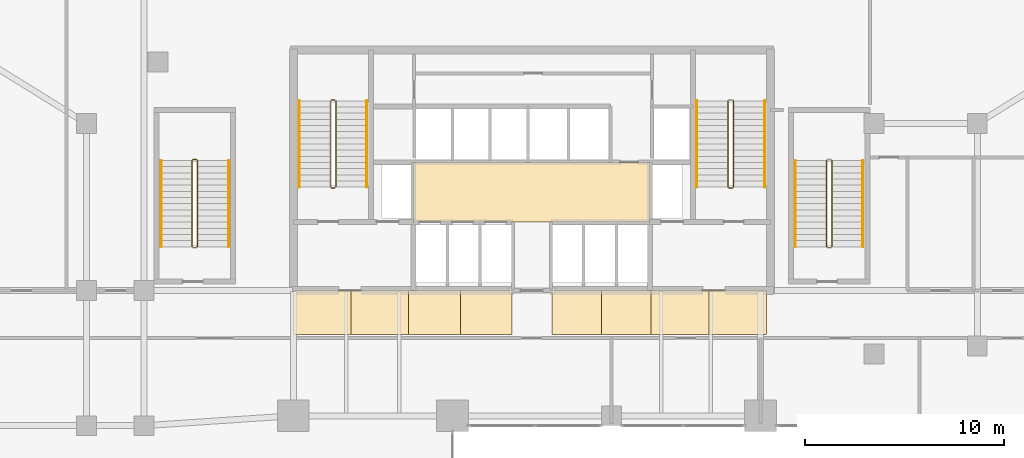
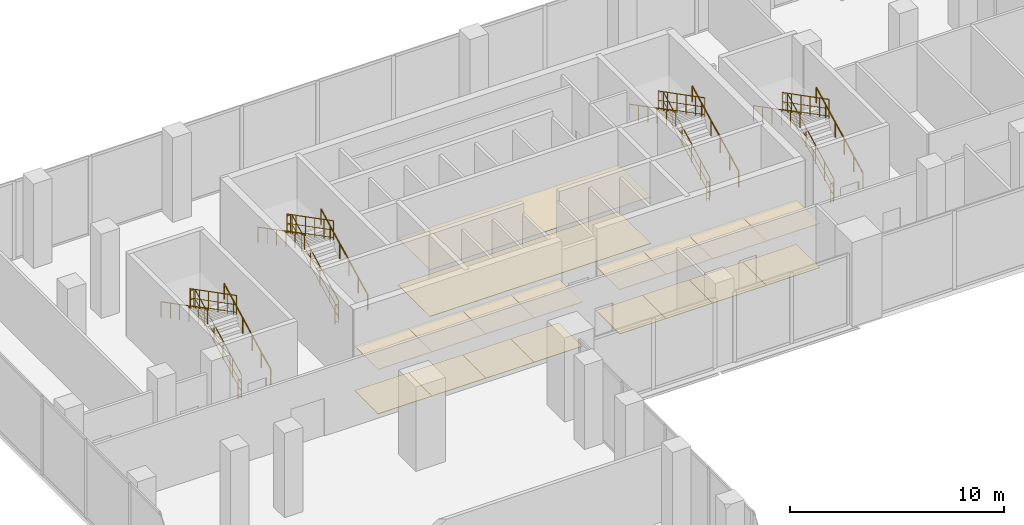
# One storey, part 23 of 24: 22 railings, 18 coverings.
"""IFC4 building model written with IfcOpenShell, lengths in metres."""

from ifc_helpers import new_model, si_unit, direction, frame, origin, origin_2d, place, context, subcontext, project, spatial, polyline, circle, outline, extrude, material, layer, layer_set, type_object, element, save


model = new_model("IFC4")

# Units and contexts
model_context = context("Model", 3, precision=1e-05, world=origin(), true_north=direction((0.0, 1.0)))
body_context = subcontext(model_context, "Body", "Model", "MODEL_VIEW")
ifc_project = project(units=[si_unit("LENGTHUNIT", "METRE"), si_unit("AREAUNIT", "SQUARE_METRE"), si_unit("VOLUMEUNIT", "CUBIC_METRE"), si_unit("PLANEANGLEUNIT", "RADIAN"), si_unit("MASSUNIT", "GRAM", prefix="KILO")], contexts=[model_context])

# Site, building, storey
site_placement = place(None, origin())
site = spatial("IfcSite", under=ifc_project, at=site_placement, CompositionType="ELEMENT")
building_placement = place(site_placement, origin())
building = spatial("IfcBuilding", under=site, at=building_placement, Name="Catumbela Crestline Tower", CompositionType="ELEMENT")
storey_placement = place(building_placement, frame((0.0, 0.0, 11.1)))
storey = spatial("IfcBuildingStorey", under=building, at=storey_placement, Name="L02", CompositionType="ELEMENT", Elevation=11.1)

# Coverings
ifc_material_1 = material(Name="Mineral-fibre acoustic ceiling")
ifc_layer_1 = layer(ifc_material_1, 0.03, Name="Mineral-fibre acoustic ceiling")
ifc_layer_set_1 = layer_set([ifc_layer_1], Name="Mineral-fibre acoustic ceiling")
covering_type_1 = type_object("IfcCoveringType", Name="CC-AC", PredefinedType="CEILING", material=ifc_layer_set_1)
covering_1_placement = place(storey_placement, frame((0.0, 0.0, 2.65)))
element("IfcCovering", 1, at=covering_1_placement, inside=storey, type_object=covering_type_1, Name="L02 Lift Lobby Acoustic Ceiling", PredefinedType="CEILING", context=body_context, shape_type="SweptSolid", body=[
    extrude(outline(polyline([(22.05, 34.25), (33.95, 34.25), (33.95, 37.25), (22.05, 37.25), (22.05, 34.25)])), origin(), (0.0, 0.0, 1.0), 0.03),
])
covering_2_placement = place(storey_placement, frame((0.0, 0.0, 2.52)))
element("IfcCovering", 2, at=covering_2_placement, inside=storey, type_object=covering_type_1, Name="L02 Corridor Acoustic Ceiling Bay 1", PredefinedType="CEILING", context=body_context, shape_type="SweptSolid", body=[
    extrude(outline(polyline([(16.0, 28.6), (18.9, 28.6), (18.9, 30.8), (16.0, 30.8), (16.0, 28.6)])), origin(), (0.0, 0.0, 1.0), 0.03),
])
covering_3_placement = place(storey_placement, frame((0.0, 0.0, 2.52)))
element("IfcCovering", 3, at=covering_3_placement, inside=storey, type_object=covering_type_1, Name="L02 Corridor Acoustic Ceiling Bay 2", PredefinedType="CEILING", context=body_context, shape_type="SweptSolid", body=[
    extrude(outline(polyline([(18.9, 28.6), (21.8, 28.6), (21.8, 30.8), (18.9, 30.8), (18.9, 28.6)])), origin(), (0.0, 0.0, 1.0), 0.03),
])
covering_4_placement = place(storey_placement, frame((0.0, 0.0, 2.52)))
element("IfcCovering", 4, at=covering_4_placement, inside=storey, type_object=covering_type_1, Name="L02 Corridor Acoustic Ceiling Bay 3", PredefinedType="CEILING", context=body_context, shape_type="SweptSolid", body=[
    extrude(outline(polyline([(21.8, 28.6), (24.4, 28.6), (24.4, 30.8), (21.8, 30.8), (21.8, 28.6)])), origin(), (0.0, 0.0, 1.0), 0.03),
])
covering_5_placement = place(storey_placement, frame((0.0, 0.0, 2.52)))
element("IfcCovering", 5, at=covering_5_placement, inside=storey, type_object=covering_type_1, Name="L02 Corridor Acoustic Ceiling Bay 4", PredefinedType="CEILING", context=body_context, shape_type="SweptSolid", body=[
    extrude(outline(polyline([(24.4, 28.6), (27.0, 28.6), (27.0, 30.8), (24.4, 30.8), (24.4, 28.6)])), origin(), (0.0, 0.0, 1.0), 0.03),
])
covering_6_placement = place(storey_placement, frame((0.0, 0.0, 2.52)))
element("IfcCovering", 6, at=covering_6_placement, inside=storey, type_object=covering_type_1, Name="L02 Corridor Acoustic Ceiling Bay 5", PredefinedType="CEILING", context=body_context, shape_type="SweptSolid", body=[
    extrude(outline(polyline([(29.0, 28.6), (31.5, 28.6), (31.5, 30.8), (29.0, 30.8), (29.0, 28.6)])), origin(), (0.0, 0.0, 1.0), 0.03),
])
covering_7_placement = place(storey_placement, frame((0.0, 0.0, 2.52)))
element("IfcCovering", 7, at=covering_7_placement, inside=storey, type_object=covering_type_1, Name="L02 Corridor Acoustic Ceiling Bay 6", PredefinedType="CEILING", context=body_context, shape_type="SweptSolid", body=[
    extrude(outline(polyline([(31.5, 28.6), (34.0, 28.6), (34.0, 30.8), (31.5, 30.8), (31.5, 28.6)])), origin(), (0.0, 0.0, 1.0), 0.03),
])
covering_8_placement = place(storey_placement, frame((0.0, 0.0, 2.52)))
element("IfcCovering", 8, at=covering_8_placement, inside=storey, type_object=covering_type_1, Name="L02 Corridor Acoustic Ceiling Bay 7", PredefinedType="CEILING", context=body_context, shape_type="SweptSolid", body=[
    extrude(outline(polyline([(34.0, 28.6), (36.9, 28.6), (36.9, 30.8), (34.0, 30.8), (34.0, 28.6)])), origin(), (0.0, 0.0, 1.0), 0.03),
])
covering_9_placement = place(storey_placement, frame((0.0, 0.0, 2.52)))
element("IfcCovering", 9, at=covering_9_placement, inside=storey, type_object=covering_type_1, Name="L02 Corridor Acoustic Ceiling Bay 8", PredefinedType="CEILING", context=body_context, shape_type="SweptSolid", body=[
    extrude(outline(polyline([(36.9, 28.6), (39.8, 28.6), (39.8, 30.8), (36.9, 30.8), (36.9, 28.6)])), origin(), (0.0, 0.0, 1.0), 0.03),
])
ifc_material_2 = material(Name="Angolan grey-ochre granite", Category="masonry")
ifc_layer_2 = layer(ifc_material_2, 0.025, Name="Angolan grey-ochre granite")
ifc_layer_set_2 = layer_set([ifc_layer_2], Name="Angolan grey-ochre granite")
covering_type_2 = type_object("IfcCoveringType", Name="CF-GR", PredefinedType="FLOORING", material=ifc_layer_set_2)
covering_10_placement = place(storey_placement, origin())
element("IfcCovering", 10, at=covering_10_placement, inside=storey, type_object=covering_type_2, Name="L02 Corridor Granite Flooring Bay 1", PredefinedType="FLOORING", context=body_context, shape_type="SweptSolid", body=[
    extrude(outline(polyline([(16.0, 28.6), (18.9, 28.6), (18.9, 30.8), (16.0, 30.8), (16.0, 28.6)])), origin(), (0.0, 0.0, 1.0), 0.025),
])
covering_11_placement = place(storey_placement, origin())
element("IfcCovering", 11, at=covering_11_placement, inside=storey, type_object=covering_type_2, Name="L02 Corridor Granite Flooring Bay 2", PredefinedType="FLOORING", context=body_context, shape_type="SweptSolid", body=[
    extrude(outline(polyline([(18.9, 28.6), (21.8, 28.6), (21.8, 30.8), (18.9, 30.8), (18.9, 28.6)])), origin(), (0.0, 0.0, 1.0), 0.025),
])
covering_12_placement = place(storey_placement, origin())
element("IfcCovering", 12, at=covering_12_placement, inside=storey, type_object=covering_type_2, Name="L02 Corridor Granite Flooring Bay 3", PredefinedType="FLOORING", context=body_context, shape_type="SweptSolid", body=[
    extrude(outline(polyline([(21.8, 28.6), (24.4, 28.6), (24.4, 30.8), (21.8, 30.8), (21.8, 28.6)])), origin(), (0.0, 0.0, 1.0), 0.025),
])
covering_13_placement = place(storey_placement, origin())
element("IfcCovering", 13, at=covering_13_placement, inside=storey, type_object=covering_type_2, Name="L02 Corridor Granite Flooring Bay 4", PredefinedType="FLOORING", context=body_context, shape_type="SweptSolid", body=[
    extrude(outline(polyline([(24.4, 28.6), (27.0, 28.6), (27.0, 30.8), (24.4, 30.8), (24.4, 28.6)])), origin(), (0.0, 0.0, 1.0), 0.025),
])
covering_14_placement = place(storey_placement, origin())
element("IfcCovering", 14, at=covering_14_placement, inside=storey, type_object=covering_type_2, Name="L02 Corridor Granite Flooring Bay 5", PredefinedType="FLOORING", context=body_context, shape_type="SweptSolid", body=[
    extrude(outline(polyline([(29.0, 28.6), (31.5, 28.6), (31.5, 30.8), (29.0, 30.8), (29.0, 28.6)])), origin(), (0.0, 0.0, 1.0), 0.025),
])
covering_15_placement = place(storey_placement, origin())
element("IfcCovering", 15, at=covering_15_placement, inside=storey, type_object=covering_type_2, Name="L02 Corridor Granite Flooring Bay 6", PredefinedType="FLOORING", context=body_context, shape_type="SweptSolid", body=[
    extrude(outline(polyline([(31.5, 28.6), (34.0, 28.6), (34.0, 30.8), (31.5, 30.8), (31.5, 28.6)])), origin(), (0.0, 0.0, 1.0), 0.025),
])
covering_16_placement = place(storey_placement, origin())
element("IfcCovering", 16, at=covering_16_placement, inside=storey, type_object=covering_type_2, Name="L02 Corridor Granite Flooring Bay 7", PredefinedType="FLOORING", context=body_context, shape_type="SweptSolid", body=[
    extrude(outline(polyline([(34.0, 28.6), (36.9, 28.6), (36.9, 30.8), (34.0, 30.8), (34.0, 28.6)])), origin(), (0.0, 0.0, 1.0), 0.025),
])
covering_17_placement = place(storey_placement, origin())
element("IfcCovering", 17, at=covering_17_placement, inside=storey, type_object=covering_type_2, Name="L02 Corridor Granite Flooring Bay 8", PredefinedType="FLOORING", context=body_context, shape_type="SweptSolid", body=[
    extrude(outline(polyline([(36.9, 28.6), (39.8, 28.6), (39.8, 30.8), (36.9, 30.8), (36.9, 28.6)])), origin(), (0.0, 0.0, 1.0), 0.025),
])
covering_18_placement = place(storey_placement, origin())
element("IfcCovering", 18, at=covering_18_placement, inside=storey, type_object=covering_type_2, Name="L02 Lift Lobby Granite Flooring", PredefinedType="FLOORING", context=body_context, shape_type="SweptSolid", body=[
    extrude(outline(polyline([(22.05, 34.25), (33.95, 34.25), (33.95, 37.25), (22.05, 37.25), (22.05, 34.25)])), origin(), (0.0, 0.0, 1.0), 0.025),
])

# Railings
ifc_material_3 = material(Name="Stainless steel EN 1.4401", Category="steel")
railing_type_1 = type_object("IfcRailingType", Name="RG-1100", PredefinedType="GUARDRAIL", material=ifc_material_3)
railing_1_placement = place(storey_placement, frame((18.14, 36.0, 0.16)))
element("IfcRailing", 19, at=railing_1_placement, inside=storey, type_object=railing_type_1, Name="L02 ST-01 stair guard 1", PredefinedType="GUARDRAIL", context=body_context, shape_type="SweptSolid", body=[
    extrude(circle(Radius=0.024, at=origin_2d()), frame((0.0, 0.0, 1.076), z_axis=(0.0, 0.888620657055, 0.45864291977), x_axis=(-1.0, 0.0, 0.0)), (0.0, 0.0, 1.0), 4.884),
    extrude(circle(Radius=0.0156, at=origin_2d()), frame((0.0, 0.0, 0.55), z_axis=(0.0, 0.888620657055, 0.45864291977), x_axis=(-1.0, 0.0, 0.0)), (0.0, 0.0, 1.0), 4.884),
    extrude(circle(Radius=0.0156, at=origin_2d()), frame((0.0, 0.0, 0.12), z_axis=(0.0, 0.888620657055, 0.45864291977), x_axis=(-1.0, 0.0, 0.0)), (0.0, 0.0, 1.0), 4.884),
    extrude(circle(Radius=0.021, at=origin_2d()), origin(), (0.0, 0.0, 1.0), 1.052),
    extrude(circle(Radius=0.021, at=origin_2d()), frame((0.0, 0.868, 0.448)), (0.0, 0.0, 1.0), 1.052),
    extrude(circle(Radius=0.021, at=origin_2d()), frame((0.0, 1.736, 0.896)), (0.0, 0.0, 1.0), 1.052),
    extrude(circle(Radius=0.021, at=origin_2d()), frame((0.0, 2.604, 1.344)), (0.0, 0.0, 1.0), 1.052),
    extrude(circle(Radius=0.021, at=origin_2d()), frame((0.0, 3.472, 1.792)), (0.0, 0.0, 1.0), 1.052),
    extrude(circle(Radius=0.021, at=origin_2d()), frame((0.0, 4.34, 2.24)), (0.0, 0.0, 1.0), 1.052),
])
railing_2_placement = place(storey_placement, frame((18.09, 40.39, 2.4)))
element("IfcRailing", 20, at=railing_2_placement, inside=storey, type_object=railing_type_1, Name="L02 ST-01 stair guard 2", PredefinedType="GUARDRAIL", context=body_context, shape_type="SweptSolid", body=[
    extrude(circle(Radius=0.024, at=origin_2d()), frame((0.0, 0.0, 1.076), z_axis=(-1.0, 0.0, 0.0), x_axis=(0.0, -1.0, 0.0)), (0.0, 0.0, 1.0), 0.18),
    extrude(circle(Radius=0.0156, at=origin_2d()), frame((0.0, 0.0, 0.55), z_axis=(-1.0, 0.0, 0.0), x_axis=(0.0, -1.0, 0.0)), (0.0, 0.0, 1.0), 0.18),
    extrude(circle(Radius=0.0156, at=origin_2d()), frame((0.0, 0.0, 0.12), z_axis=(-1.0, 0.0, 0.0), x_axis=(0.0, -1.0, 0.0)), (0.0, 0.0, 1.0), 0.18),
    extrude(circle(Radius=0.021, at=origin_2d()), origin(), (0.0, 0.0, 1.0), 1.052),
    extrude(circle(Radius=0.021, at=origin_2d()), frame((-0.18, 0.0, 0.0)), (0.0, 0.0, 1.0), 1.052),
])
railing_3_placement = place(storey_placement, frame((17.86, 40.34, 2.56)))
element("IfcRailing", 21, at=railing_3_placement, inside=storey, type_object=railing_type_1, Name="L02 ST-01 stair guard 3", PredefinedType="GUARDRAIL", context=body_context, shape_type="SweptSolid", body=[
    extrude(circle(Radius=0.024, at=origin_2d()), frame((0.0, 0.0, 1.076), z_axis=(0.0, -0.888620657055, 0.45864291977), x_axis=(1.0, 0.0, 0.0)), (0.0, 0.0, 1.0), 4.884),
    extrude(circle(Radius=0.0156, at=origin_2d()), frame((0.0, 0.0, 0.55), z_axis=(0.0, -0.888620657055, 0.45864291977), x_axis=(1.0, 0.0, 0.0)), (0.0, 0.0, 1.0), 4.884),
    extrude(circle(Radius=0.0156, at=origin_2d()), frame((0.0, 0.0, 0.12), z_axis=(0.0, -0.888620657055, 0.45864291977), x_axis=(1.0, 0.0, 0.0)), (0.0, 0.0, 1.0), 4.884),
    extrude(circle(Radius=0.021, at=origin_2d()), origin(), (0.0, 0.0, 1.0), 1.052),
    extrude(circle(Radius=0.021, at=origin_2d()), frame((0.0, -0.868, 0.448)), (0.0, 0.0, 1.0), 1.052),
    extrude(circle(Radius=0.021, at=origin_2d()), frame((0.0, -1.736, 0.896)), (0.0, 0.0, 1.0), 1.052),
    extrude(circle(Radius=0.021, at=origin_2d()), frame((0.0, -2.604, 1.344)), (0.0, 0.0, 1.0), 1.052),
    extrude(circle(Radius=0.021, at=origin_2d()), frame((0.0, -3.472, 1.792)), (0.0, 0.0, 1.0), 1.052),
    extrude(circle(Radius=0.021, at=origin_2d()), frame((0.0, -4.34, 2.24)), (0.0, 0.0, 1.0), 1.052),
])
railing_4_placement = place(storey_placement, frame((18.09, 35.95, 0.0)))
element("IfcRailing", 22, at=railing_4_placement, inside=storey, type_object=railing_type_1, Name="L02 ST-01 stair guard 4", PredefinedType="GUARDRAIL", context=body_context, shape_type="SweptSolid", body=[
    extrude(circle(Radius=0.024, at=origin_2d()), frame((0.0, 0.0, 1.076), z_axis=(-1.0, 0.0, 0.0), x_axis=(0.0, -1.0, 0.0)), (0.0, 0.0, 1.0), 0.18),
    extrude(circle(Radius=0.0156, at=origin_2d()), frame((0.0, 0.0, 0.55), z_axis=(-1.0, 0.0, 0.0), x_axis=(0.0, -1.0, 0.0)), (0.0, 0.0, 1.0), 0.18),
    extrude(circle(Radius=0.0156, at=origin_2d()), frame((0.0, 0.0, 0.12), z_axis=(-1.0, 0.0, 0.0), x_axis=(0.0, -1.0, 0.0)), (0.0, 0.0, 1.0), 0.18),
    extrude(circle(Radius=0.021, at=origin_2d()), origin(), (0.0, 0.0, 1.0), 1.052),
    extrude(circle(Radius=0.021, at=origin_2d()), frame((-0.18, 0.0, 0.0)), (0.0, 0.0, 1.0), 1.052),
])
railing_5_placement = place(storey_placement, frame((38.14, 36.0, 0.16)))
element("IfcRailing", 23, at=railing_5_placement, inside=storey, type_object=railing_type_1, Name="L02 ST-02 stair guard 1", PredefinedType="GUARDRAIL", context=body_context, shape_type="SweptSolid", body=[
    extrude(circle(Radius=0.024, at=origin_2d()), frame((0.0, 0.0, 1.076), z_axis=(0.0, 0.888620657055, 0.45864291977), x_axis=(-1.0, 0.0, 0.0)), (0.0, 0.0, 1.0), 4.884),
    extrude(circle(Radius=0.0156, at=origin_2d()), frame((0.0, 0.0, 0.55), z_axis=(0.0, 0.888620657055, 0.45864291977), x_axis=(-1.0, 0.0, 0.0)), (0.0, 0.0, 1.0), 4.884),
    extrude(circle(Radius=0.0156, at=origin_2d()), frame((0.0, 0.0, 0.12), z_axis=(0.0, 0.888620657055, 0.45864291977), x_axis=(-1.0, 0.0, 0.0)), (0.0, 0.0, 1.0), 4.884),
    extrude(circle(Radius=0.021, at=origin_2d()), origin(), (0.0, 0.0, 1.0), 1.052),
    extrude(circle(Radius=0.021, at=origin_2d()), frame((0.0, 0.868, 0.448)), (0.0, 0.0, 1.0), 1.052),
    extrude(circle(Radius=0.021, at=origin_2d()), frame((0.0, 1.736, 0.896)), (0.0, 0.0, 1.0), 1.052),
    extrude(circle(Radius=0.021, at=origin_2d()), frame((0.0, 2.604, 1.344)), (0.0, 0.0, 1.0), 1.052),
    extrude(circle(Radius=0.021, at=origin_2d()), frame((0.0, 3.472, 1.792)), (0.0, 0.0, 1.0), 1.052),
    extrude(circle(Radius=0.021, at=origin_2d()), frame((0.0, 4.34, 2.24)), (0.0, 0.0, 1.0), 1.052),
])
railing_6_placement = place(storey_placement, frame((37.86, 40.34, 2.56)))
element("IfcRailing", 24, at=railing_6_placement, inside=storey, type_object=railing_type_1, Name="L02 ST-02 stair guard 3", PredefinedType="GUARDRAIL", context=body_context, shape_type="SweptSolid", body=[
    extrude(circle(Radius=0.024, at=origin_2d()), frame((0.0, 0.0, 1.076), z_axis=(0.0, -0.888620657055, 0.45864291977), x_axis=(1.0, 0.0, 0.0)), (0.0, 0.0, 1.0), 4.884),
    extrude(circle(Radius=0.0156, at=origin_2d()), frame((0.0, 0.0, 0.55), z_axis=(0.0, -0.888620657055, 0.45864291977), x_axis=(1.0, 0.0, 0.0)), (0.0, 0.0, 1.0), 4.884),
    extrude(circle(Radius=0.0156, at=origin_2d()), frame((0.0, 0.0, 0.12), z_axis=(0.0, -0.888620657055, 0.45864291977), x_axis=(1.0, 0.0, 0.0)), (0.0, 0.0, 1.0), 4.884),
    extrude(circle(Radius=0.021, at=origin_2d()), origin(), (0.0, 0.0, 1.0), 1.052),
    extrude(circle(Radius=0.021, at=origin_2d()), frame((0.0, -0.868, 0.448)), (0.0, 0.0, 1.0), 1.052),
    extrude(circle(Radius=0.021, at=origin_2d()), frame((0.0, -1.736, 0.896)), (0.0, 0.0, 1.0), 1.052),
    extrude(circle(Radius=0.021, at=origin_2d()), frame((0.0, -2.604, 1.344)), (0.0, 0.0, 1.0), 1.052),
    extrude(circle(Radius=0.021, at=origin_2d()), frame((0.0, -3.472, 1.792)), (0.0, 0.0, 1.0), 1.052),
    extrude(circle(Radius=0.021, at=origin_2d()), frame((0.0, -4.34, 2.24)), (0.0, 0.0, 1.0), 1.052),
])
railing_7_placement = place(storey_placement, frame((38.09, 35.95, 0.0)))
element("IfcRailing", 25, at=railing_7_placement, inside=storey, type_object=railing_type_1, Name="L02 ST-02 stair guard 4", PredefinedType="GUARDRAIL", context=body_context, shape_type="SweptSolid", body=[
    extrude(circle(Radius=0.024, at=origin_2d()), frame((0.0, 0.0, 1.076), z_axis=(-1.0, 0.0, 0.0), x_axis=(0.0, -1.0, 0.0)), (0.0, 0.0, 1.0), 0.18),
    extrude(circle(Radius=0.0156, at=origin_2d()), frame((0.0, 0.0, 0.55), z_axis=(-1.0, 0.0, 0.0), x_axis=(0.0, -1.0, 0.0)), (0.0, 0.0, 1.0), 0.18),
    extrude(circle(Radius=0.0156, at=origin_2d()), frame((0.0, 0.0, 0.12), z_axis=(-1.0, 0.0, 0.0), x_axis=(0.0, -1.0, 0.0)), (0.0, 0.0, 1.0), 0.18),
    extrude(circle(Radius=0.021, at=origin_2d()), origin(), (0.0, 0.0, 1.0), 1.052),
    extrude(circle(Radius=0.021, at=origin_2d()), frame((-0.18, 0.0, 0.0)), (0.0, 0.0, 1.0), 1.052),
])
railing_8_placement = place(storey_placement, frame((11.19, 33.0, 0.16)))
element("IfcRailing", 26, at=railing_8_placement, inside=storey, type_object=railing_type_1, Name="L02 ST-03 stair guard 1", PredefinedType="GUARDRAIL", context=body_context, shape_type="SweptSolid", body=[
    extrude(circle(Radius=0.024, at=origin_2d()), frame((0.0, 0.0, 1.076), z_axis=(0.0, 0.888620657055, 0.45864291977), x_axis=(-1.0, 0.0, 0.0)), (0.0, 0.0, 1.0), 4.884),
    extrude(circle(Radius=0.0156, at=origin_2d()), frame((0.0, 0.0, 0.55), z_axis=(0.0, 0.888620657055, 0.45864291977), x_axis=(-1.0, 0.0, 0.0)), (0.0, 0.0, 1.0), 4.884),
    extrude(circle(Radius=0.0156, at=origin_2d()), frame((0.0, 0.0, 0.12), z_axis=(0.0, 0.888620657055, 0.45864291977), x_axis=(-1.0, 0.0, 0.0)), (0.0, 0.0, 1.0), 4.884),
    extrude(circle(Radius=0.021, at=origin_2d()), origin(), (0.0, 0.0, 1.0), 1.052),
    extrude(circle(Radius=0.021, at=origin_2d()), frame((0.0, 0.868, 0.448)), (0.0, 0.0, 1.0), 1.052),
    extrude(circle(Radius=0.021, at=origin_2d()), frame((0.0, 1.736, 0.896)), (0.0, 0.0, 1.0), 1.052),
    extrude(circle(Radius=0.021, at=origin_2d()), frame((0.0, 2.604, 1.344)), (0.0, 0.0, 1.0), 1.052),
    extrude(circle(Radius=0.021, at=origin_2d()), frame((0.0, 3.472, 1.792)), (0.0, 0.0, 1.0), 1.052),
    extrude(circle(Radius=0.021, at=origin_2d()), frame((0.0, 4.34, 2.24)), (0.0, 0.0, 1.0), 1.052),
])
railing_9_placement = place(storey_placement, frame((11.14, 37.39, 2.4)))
element("IfcRailing", 27, at=railing_9_placement, inside=storey, type_object=railing_type_1, Name="L02 ST-03 stair guard 2", PredefinedType="GUARDRAIL", context=body_context, shape_type="SweptSolid", body=[
    extrude(circle(Radius=0.024, at=origin_2d()), frame((0.0, 0.0, 1.076), z_axis=(-1.0, 0.0, 0.0), x_axis=(0.0, -1.0, 0.0)), (0.0, 0.0, 1.0), 0.18),
    extrude(circle(Radius=0.0156, at=origin_2d()), frame((0.0, 0.0, 0.55), z_axis=(-1.0, 0.0, 0.0), x_axis=(0.0, -1.0, 0.0)), (0.0, 0.0, 1.0), 0.18),
    extrude(circle(Radius=0.0156, at=origin_2d()), frame((0.0, 0.0, 0.12), z_axis=(-1.0, 0.0, 0.0), x_axis=(0.0, -1.0, 0.0)), (0.0, 0.0, 1.0), 0.18),
    extrude(circle(Radius=0.021, at=origin_2d()), origin(), (0.0, 0.0, 1.0), 1.052),
    extrude(circle(Radius=0.021, at=origin_2d()), frame((-0.18, 0.0, 0.0)), (0.0, 0.0, 1.0), 1.052),
])
railing_10_placement = place(storey_placement, frame((10.91, 37.34, 2.56)))
element("IfcRailing", 28, at=railing_10_placement, inside=storey, type_object=railing_type_1, Name="L02 ST-03 stair guard 3", PredefinedType="GUARDRAIL", context=body_context, shape_type="SweptSolid", body=[
    extrude(circle(Radius=0.024, at=origin_2d()), frame((0.0, 0.0, 1.076), z_axis=(0.0, -0.888620657055, 0.45864291977), x_axis=(1.0, 0.0, 0.0)), (0.0, 0.0, 1.0), 4.884),
    extrude(circle(Radius=0.0156, at=origin_2d()), frame((0.0, 0.0, 0.55), z_axis=(0.0, -0.888620657055, 0.45864291977), x_axis=(1.0, 0.0, 0.0)), (0.0, 0.0, 1.0), 4.884),
    extrude(circle(Radius=0.0156, at=origin_2d()), frame((0.0, 0.0, 0.12), z_axis=(0.0, -0.888620657055, 0.45864291977), x_axis=(1.0, 0.0, 0.0)), (0.0, 0.0, 1.0), 4.884),
    extrude(circle(Radius=0.021, at=origin_2d()), origin(), (0.0, 0.0, 1.0), 1.052),
    extrude(circle(Radius=0.021, at=origin_2d()), frame((0.0, -0.868, 0.448)), (0.0, 0.0, 1.0), 1.052),
    extrude(circle(Radius=0.021, at=origin_2d()), frame((0.0, -1.736, 0.896)), (0.0, 0.0, 1.0), 1.052),
    extrude(circle(Radius=0.021, at=origin_2d()), frame((0.0, -2.604, 1.344)), (0.0, 0.0, 1.0), 1.052),
    extrude(circle(Radius=0.021, at=origin_2d()), frame((0.0, -3.472, 1.792)), (0.0, 0.0, 1.0), 1.052),
    extrude(circle(Radius=0.021, at=origin_2d()), frame((0.0, -4.34, 2.24)), (0.0, 0.0, 1.0), 1.052),
])
railing_11_placement = place(storey_placement, frame((11.14, 32.95, 0.0)))
element("IfcRailing", 29, at=railing_11_placement, inside=storey, type_object=railing_type_1, Name="L02 ST-03 stair guard 4", PredefinedType="GUARDRAIL", context=body_context, shape_type="SweptSolid", body=[
    extrude(circle(Radius=0.024, at=origin_2d()), frame((0.0, 0.0, 1.076), z_axis=(-1.0, 0.0, 0.0), x_axis=(0.0, -1.0, 0.0)), (0.0, 0.0, 1.0), 0.18),
    extrude(circle(Radius=0.0156, at=origin_2d()), frame((0.0, 0.0, 0.55), z_axis=(-1.0, 0.0, 0.0), x_axis=(0.0, -1.0, 0.0)), (0.0, 0.0, 1.0), 0.18),
    extrude(circle(Radius=0.0156, at=origin_2d()), frame((0.0, 0.0, 0.12), z_axis=(-1.0, 0.0, 0.0), x_axis=(0.0, -1.0, 0.0)), (0.0, 0.0, 1.0), 0.18),
    extrude(circle(Radius=0.021, at=origin_2d()), origin(), (0.0, 0.0, 1.0), 1.052),
    extrude(circle(Radius=0.021, at=origin_2d()), frame((-0.18, 0.0, 0.0)), (0.0, 0.0, 1.0), 1.052),
])
railing_12_placement = place(storey_placement, frame((43.09, 33.0, 0.16)))
element("IfcRailing", 30, at=railing_12_placement, inside=storey, type_object=railing_type_1, Name="L02 ST-04 stair guard 1", PredefinedType="GUARDRAIL", context=body_context, shape_type="SweptSolid", body=[
    extrude(circle(Radius=0.024, at=origin_2d()), frame((0.0, 0.0, 1.076), z_axis=(0.0, 0.888620657055, 0.45864291977), x_axis=(-1.0, 0.0, 0.0)), (0.0, 0.0, 1.0), 4.884),
    extrude(circle(Radius=0.0156, at=origin_2d()), frame((0.0, 0.0, 0.55), z_axis=(0.0, 0.888620657055, 0.45864291977), x_axis=(-1.0, 0.0, 0.0)), (0.0, 0.0, 1.0), 4.884),
    extrude(circle(Radius=0.0156, at=origin_2d()), frame((0.0, 0.0, 0.12), z_axis=(0.0, 0.888620657055, 0.45864291977), x_axis=(-1.0, 0.0, 0.0)), (0.0, 0.0, 1.0), 4.884),
    extrude(circle(Radius=0.021, at=origin_2d()), origin(), (0.0, 0.0, 1.0), 1.052),
    extrude(circle(Radius=0.021, at=origin_2d()), frame((0.0, 0.868, 0.448)), (0.0, 0.0, 1.0), 1.052),
    extrude(circle(Radius=0.021, at=origin_2d()), frame((0.0, 1.736, 0.896)), (0.0, 0.0, 1.0), 1.052),
    extrude(circle(Radius=0.021, at=origin_2d()), frame((0.0, 2.604, 1.344)), (0.0, 0.0, 1.0), 1.052),
    extrude(circle(Radius=0.021, at=origin_2d()), frame((0.0, 3.472, 1.792)), (0.0, 0.0, 1.0), 1.052),
    extrude(circle(Radius=0.021, at=origin_2d()), frame((0.0, 4.34, 2.24)), (0.0, 0.0, 1.0), 1.052),
])
railing_13_placement = place(storey_placement, frame((42.81, 37.34, 2.56)))
element("IfcRailing", 31, at=railing_13_placement, inside=storey, type_object=railing_type_1, Name="L02 ST-04 stair guard 3", PredefinedType="GUARDRAIL", context=body_context, shape_type="SweptSolid", body=[
    extrude(circle(Radius=0.024, at=origin_2d()), frame((0.0, 0.0, 1.076), z_axis=(0.0, -0.888620657055, 0.45864291977), x_axis=(1.0, 0.0, 0.0)), (0.0, 0.0, 1.0), 4.884),
    extrude(circle(Radius=0.0156, at=origin_2d()), frame((0.0, 0.0, 0.55), z_axis=(0.0, -0.888620657055, 0.45864291977), x_axis=(1.0, 0.0, 0.0)), (0.0, 0.0, 1.0), 4.884),
    extrude(circle(Radius=0.0156, at=origin_2d()), frame((0.0, 0.0, 0.12), z_axis=(0.0, -0.888620657055, 0.45864291977), x_axis=(1.0, 0.0, 0.0)), (0.0, 0.0, 1.0), 4.884),
    extrude(circle(Radius=0.021, at=origin_2d()), origin(), (0.0, 0.0, 1.0), 1.052),
    extrude(circle(Radius=0.021, at=origin_2d()), frame((0.0, -0.868, 0.448)), (0.0, 0.0, 1.0), 1.052),
    extrude(circle(Radius=0.021, at=origin_2d()), frame((0.0, -1.736, 0.896)), (0.0, 0.0, 1.0), 1.052),
    extrude(circle(Radius=0.021, at=origin_2d()), frame((0.0, -2.604, 1.344)), (0.0, 0.0, 1.0), 1.052),
    extrude(circle(Radius=0.021, at=origin_2d()), frame((0.0, -3.472, 1.792)), (0.0, 0.0, 1.0), 1.052),
    extrude(circle(Radius=0.021, at=origin_2d()), frame((0.0, -4.34, 2.24)), (0.0, 0.0, 1.0), 1.052),
])
railing_14_placement = place(storey_placement, frame((43.04, 32.95, 0.0)))
element("IfcRailing", 32, at=railing_14_placement, inside=storey, type_object=railing_type_1, Name="L02 ST-04 stair guard 4", PredefinedType="GUARDRAIL", context=body_context, shape_type="SweptSolid", body=[
    extrude(circle(Radius=0.024, at=origin_2d()), frame((0.0, 0.0, 1.076), z_axis=(-1.0, 0.0, 0.0), x_axis=(0.0, -1.0, 0.0)), (0.0, 0.0, 1.0), 0.18),
    extrude(circle(Radius=0.0156, at=origin_2d()), frame((0.0, 0.0, 0.55), z_axis=(-1.0, 0.0, 0.0), x_axis=(0.0, -1.0, 0.0)), (0.0, 0.0, 1.0), 0.18),
    extrude(circle(Radius=0.0156, at=origin_2d()), frame((0.0, 0.0, 0.12), z_axis=(-1.0, 0.0, 0.0), x_axis=(0.0, -1.0, 0.0)), (0.0, 0.0, 1.0), 0.18),
    extrude(circle(Radius=0.021, at=origin_2d()), origin(), (0.0, 0.0, 1.0), 1.052),
    extrude(circle(Radius=0.021, at=origin_2d()), frame((-0.18, 0.0, 0.0)), (0.0, 0.0, 1.0), 1.052),
])
railing_type_2 = type_object("IfcRailingType", Name="RH-0900", PredefinedType="HANDRAIL", material=ifc_material_3)
railing_15_placement = place(storey_placement, frame((19.7, 36.0, 0.16)))
element("IfcRailing", 33, at=railing_15_placement, inside=storey, type_object=railing_type_2, Name="L02 ST-01 stair handrail 1", PredefinedType="HANDRAIL", context=body_context, shape_type="SweptSolid", body=[
    extrude(circle(Radius=0.024, at=origin_2d()), frame((0.0, 0.0, 0.876), z_axis=(0.0, 0.888620657055, 0.45864291977), x_axis=(-1.0, 0.0, 0.0)), (0.0, 0.0, 1.0), 4.884),
    extrude(circle(Radius=0.021, at=origin_2d()), origin(), (0.0, 0.0, 1.0), 0.852),
    extrude(circle(Radius=0.021, at=origin_2d()), frame((0.0, 0.868, 0.448)), (0.0, 0.0, 1.0), 0.852),
    extrude(circle(Radius=0.021, at=origin_2d()), frame((0.0, 1.736, 0.896)), (0.0, 0.0, 1.0), 0.852),
    extrude(circle(Radius=0.021, at=origin_2d()), frame((0.0, 2.604, 1.344)), (0.0, 0.0, 1.0), 0.852),
    extrude(circle(Radius=0.021, at=origin_2d()), frame((0.0, 3.472, 1.792)), (0.0, 0.0, 1.0), 0.852),
    extrude(circle(Radius=0.021, at=origin_2d()), frame((0.0, 4.34, 2.24)), (0.0, 0.0, 1.0), 0.852),
])
railing_16_placement = place(storey_placement, frame((16.3, 40.34, 2.56)))
element("IfcRailing", 34, at=railing_16_placement, inside=storey, type_object=railing_type_2, Name="L02 ST-01 stair handrail 2", PredefinedType="HANDRAIL", context=body_context, shape_type="SweptSolid", body=[
    extrude(circle(Radius=0.024, at=origin_2d()), frame((0.0, 0.0, 0.876), z_axis=(0.0, -0.888620657055, 0.45864291977), x_axis=(1.0, 0.0, 0.0)), (0.0, 0.0, 1.0), 4.884),
    extrude(circle(Radius=0.021, at=origin_2d()), origin(), (0.0, 0.0, 1.0), 0.852),
    extrude(circle(Radius=0.021, at=origin_2d()), frame((0.0, -0.868, 0.448)), (0.0, 0.0, 1.0), 0.852),
    extrude(circle(Radius=0.021, at=origin_2d()), frame((0.0, -1.736, 0.896)), (0.0, 0.0, 1.0), 0.852),
    extrude(circle(Radius=0.021, at=origin_2d()), frame((0.0, -2.604, 1.344)), (0.0, 0.0, 1.0), 0.852),
    extrude(circle(Radius=0.021, at=origin_2d()), frame((0.0, -3.472, 1.792)), (0.0, 0.0, 1.0), 0.852),
    extrude(circle(Radius=0.021, at=origin_2d()), frame((0.0, -4.34, 2.24)), (0.0, 0.0, 1.0), 0.852),
])
railing_17_placement = place(storey_placement, frame((39.7, 36.0, 0.16)))
element("IfcRailing", 35, at=railing_17_placement, inside=storey, type_object=railing_type_2, Name="L02 ST-02 stair handrail 1", PredefinedType="HANDRAIL", context=body_context, shape_type="SweptSolid", body=[
    extrude(circle(Radius=0.024, at=origin_2d()), frame((0.0, 0.0, 0.876), z_axis=(0.0, 0.888620657055, 0.45864291977), x_axis=(-1.0, 0.0, 0.0)), (0.0, 0.0, 1.0), 4.884),
    extrude(circle(Radius=0.021, at=origin_2d()), origin(), (0.0, 0.0, 1.0), 0.852),
    extrude(circle(Radius=0.021, at=origin_2d()), frame((0.0, 0.868, 0.448)), (0.0, 0.0, 1.0), 0.852),
    extrude(circle(Radius=0.021, at=origin_2d()), frame((0.0, 1.736, 0.896)), (0.0, 0.0, 1.0), 0.852),
    extrude(circle(Radius=0.021, at=origin_2d()), frame((0.0, 2.604, 1.344)), (0.0, 0.0, 1.0), 0.852),
    extrude(circle(Radius=0.021, at=origin_2d()), frame((0.0, 3.472, 1.792)), (0.0, 0.0, 1.0), 0.852),
    extrude(circle(Radius=0.021, at=origin_2d()), frame((0.0, 4.34, 2.24)), (0.0, 0.0, 1.0), 0.852),
])
railing_18_placement = place(storey_placement, frame((36.3, 40.34, 2.56)))
element("IfcRailing", 36, at=railing_18_placement, inside=storey, type_object=railing_type_2, Name="L02 ST-02 stair handrail 2", PredefinedType="HANDRAIL", context=body_context, shape_type="SweptSolid", body=[
    extrude(circle(Radius=0.024, at=origin_2d()), frame((0.0, 0.0, 0.876), z_axis=(0.0, -0.888620657055, 0.45864291977), x_axis=(1.0, 0.0, 0.0)), (0.0, 0.0, 1.0), 4.884),
    extrude(circle(Radius=0.021, at=origin_2d()), origin(), (0.0, 0.0, 1.0), 0.852),
    extrude(circle(Radius=0.021, at=origin_2d()), frame((0.0, -0.868, 0.448)), (0.0, 0.0, 1.0), 0.852),
    extrude(circle(Radius=0.021, at=origin_2d()), frame((0.0, -1.736, 0.896)), (0.0, 0.0, 1.0), 0.852),
    extrude(circle(Radius=0.021, at=origin_2d()), frame((0.0, -2.604, 1.344)), (0.0, 0.0, 1.0), 0.852),
    extrude(circle(Radius=0.021, at=origin_2d()), frame((0.0, -3.472, 1.792)), (0.0, 0.0, 1.0), 0.852),
    extrude(circle(Radius=0.021, at=origin_2d()), frame((0.0, -4.34, 2.24)), (0.0, 0.0, 1.0), 0.852),
])
railing_19_placement = place(storey_placement, frame((12.75, 33.0, 0.16)))
element("IfcRailing", 37, at=railing_19_placement, inside=storey, type_object=railing_type_2, Name="L02 ST-03 stair handrail 1", PredefinedType="HANDRAIL", context=body_context, shape_type="SweptSolid", body=[
    extrude(circle(Radius=0.024, at=origin_2d()), frame((0.0, 0.0, 0.876), z_axis=(0.0, 0.888620657055, 0.45864291977), x_axis=(-1.0, 0.0, 0.0)), (0.0, 0.0, 1.0), 4.884),
    extrude(circle(Radius=0.021, at=origin_2d()), origin(), (0.0, 0.0, 1.0), 0.852),
    extrude(circle(Radius=0.021, at=origin_2d()), frame((0.0, 0.868, 0.448)), (0.0, 0.0, 1.0), 0.852),
    extrude(circle(Radius=0.021, at=origin_2d()), frame((0.0, 1.736, 0.896)), (0.0, 0.0, 1.0), 0.852),
    extrude(circle(Radius=0.021, at=origin_2d()), frame((0.0, 2.604, 1.344)), (0.0, 0.0, 1.0), 0.852),
    extrude(circle(Radius=0.021, at=origin_2d()), frame((0.0, 3.472, 1.792)), (0.0, 0.0, 1.0), 0.852),
    extrude(circle(Radius=0.021, at=origin_2d()), frame((0.0, 4.34, 2.24)), (0.0, 0.0, 1.0), 0.852),
])
railing_20_placement = place(storey_placement, frame((9.35, 37.34, 2.56)))
element("IfcRailing", 38, at=railing_20_placement, inside=storey, type_object=railing_type_2, Name="L02 ST-03 stair handrail 2", PredefinedType="HANDRAIL", context=body_context, shape_type="SweptSolid", body=[
    extrude(circle(Radius=0.024, at=origin_2d()), frame((0.0, 0.0, 0.876), z_axis=(0.0, -0.888620657055, 0.45864291977), x_axis=(1.0, 0.0, 0.0)), (0.0, 0.0, 1.0), 4.884),
    extrude(circle(Radius=0.021, at=origin_2d()), origin(), (0.0, 0.0, 1.0), 0.852),
    extrude(circle(Radius=0.021, at=origin_2d()), frame((0.0, -0.868, 0.448)), (0.0, 0.0, 1.0), 0.852),
    extrude(circle(Radius=0.021, at=origin_2d()), frame((0.0, -1.736, 0.896)), (0.0, 0.0, 1.0), 0.852),
    extrude(circle(Radius=0.021, at=origin_2d()), frame((0.0, -2.604, 1.344)), (0.0, 0.0, 1.0), 0.852),
    extrude(circle(Radius=0.021, at=origin_2d()), frame((0.0, -3.472, 1.792)), (0.0, 0.0, 1.0), 0.852),
    extrude(circle(Radius=0.021, at=origin_2d()), frame((0.0, -4.34, 2.24)), (0.0, 0.0, 1.0), 0.852),
])
railing_21_placement = place(storey_placement, frame((44.65, 33.0, 0.16)))
element("IfcRailing", 39, at=railing_21_placement, inside=storey, type_object=railing_type_2, Name="L02 ST-04 stair handrail 1", PredefinedType="HANDRAIL", context=body_context, shape_type="SweptSolid", body=[
    extrude(circle(Radius=0.024, at=origin_2d()), frame((0.0, 0.0, 0.876), z_axis=(0.0, 0.888620657055, 0.45864291977), x_axis=(-1.0, 0.0, 0.0)), (0.0, 0.0, 1.0), 4.884),
    extrude(circle(Radius=0.021, at=origin_2d()), origin(), (0.0, 0.0, 1.0), 0.852),
    extrude(circle(Radius=0.021, at=origin_2d()), frame((0.0, 0.868, 0.448)), (0.0, 0.0, 1.0), 0.852),
    extrude(circle(Radius=0.021, at=origin_2d()), frame((0.0, 1.736, 0.896)), (0.0, 0.0, 1.0), 0.852),
    extrude(circle(Radius=0.021, at=origin_2d()), frame((0.0, 2.604, 1.344)), (0.0, 0.0, 1.0), 0.852),
    extrude(circle(Radius=0.021, at=origin_2d()), frame((0.0, 3.472, 1.792)), (0.0, 0.0, 1.0), 0.852),
    extrude(circle(Radius=0.021, at=origin_2d()), frame((0.0, 4.34, 2.24)), (0.0, 0.0, 1.0), 0.852),
])
railing_22_placement = place(storey_placement, frame((41.25, 37.34, 2.56)))
element("IfcRailing", 40, at=railing_22_placement, inside=storey, type_object=railing_type_2, Name="L02 ST-04 stair handrail 2", PredefinedType="HANDRAIL", context=body_context, shape_type="SweptSolid", body=[
    extrude(circle(Radius=0.024, at=origin_2d()), frame((0.0, 0.0, 0.876), z_axis=(0.0, -0.888620657055, 0.45864291977), x_axis=(1.0, 0.0, 0.0)), (0.0, 0.0, 1.0), 4.884),
    extrude(circle(Radius=0.021, at=origin_2d()), origin(), (0.0, 0.0, 1.0), 0.852),
    extrude(circle(Radius=0.021, at=origin_2d()), frame((0.0, -0.868, 0.448)), (0.0, 0.0, 1.0), 0.852),
    extrude(circle(Radius=0.021, at=origin_2d()), frame((0.0, -1.736, 0.896)), (0.0, 0.0, 1.0), 0.852),
    extrude(circle(Radius=0.021, at=origin_2d()), frame((0.0, -2.604, 1.344)), (0.0, 0.0, 1.0), 0.852),
    extrude(circle(Radius=0.021, at=origin_2d()), frame((0.0, -3.472, 1.792)), (0.0, 0.0, 1.0), 0.852),
    extrude(circle(Radius=0.021, at=origin_2d()), frame((0.0, -4.34, 2.24)), (0.0, 0.0, 1.0), 0.852),
])

save(model, "model.ifc")
